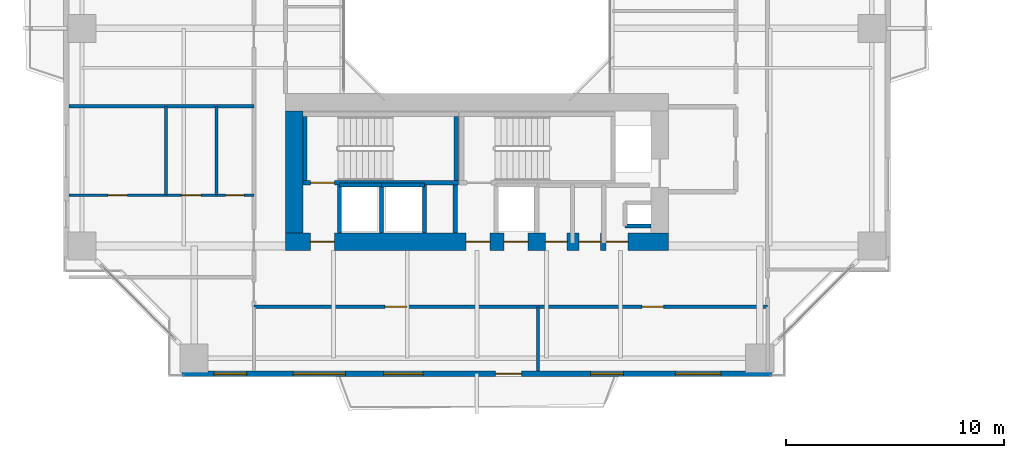
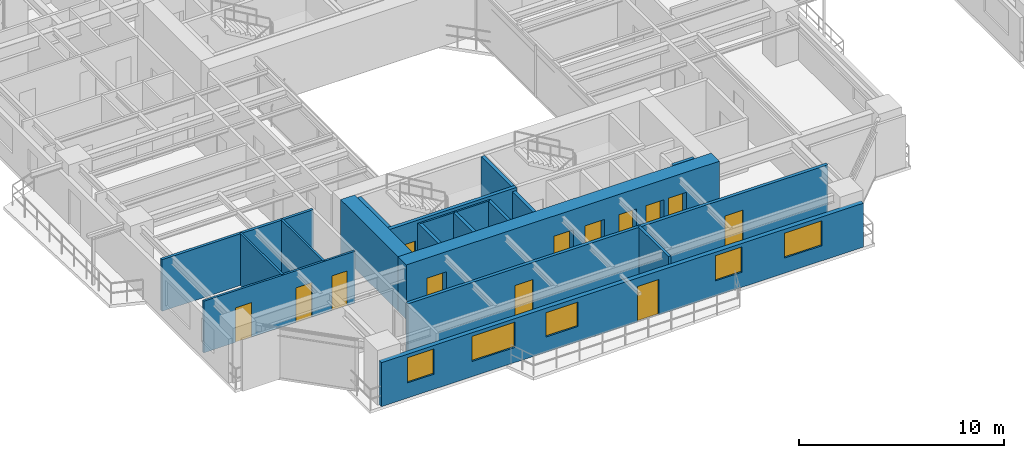
# One storey, part 13 of 23: 19 walls, 13 doors, 5 windows, 18 openings.
"""IFC4 building model written with IfcOpenShell, lengths in metres."""

from ifc_helpers import new_model, si_unit, direction, frame, frame_2d, origin, place, context, subcontext, project, spatial, rectangle, extrude, source, transform, mapped, material, layer, layer_set, type_object, element, fill, save


model = new_model("IFC4")

# Units and contexts
model_context = context("Model", 3, precision=1e-05, world=origin(), true_north=direction((0.0, 1.0)))
body_context = subcontext(model_context, "Body", "Model", "MODEL_VIEW")
ifc_project = project(units=[si_unit("LENGTHUNIT", "METRE"), si_unit("AREAUNIT", "SQUARE_METRE"), si_unit("VOLUMEUNIT", "CUBIC_METRE"), si_unit("PLANEANGLEUNIT", "RADIAN"), si_unit("MASSUNIT", "GRAM", prefix="KILO"), si_unit("THERMODYNAMICTEMPERATUREUNIT", "KELVIN"), si_unit("POWERUNIT", "WATT")], contexts=[model_context])

# Site, building, storey
site_placement = place(None, origin())
site = spatial("IfcSite", under=ifc_project, at=site_placement, CompositionType="ELEMENT")
building_placement = place(site_placement, origin())
building = spatial("IfcBuilding", under=site, at=building_placement, Name="Qiaomeng Ring Towers", CompositionType="ELEMENT")
storey_placement = place(building_placement, frame((0.0, 0.0, 66.5)))
storey = spatial("IfcBuildingStorey", under=building, at=storey_placement, Name="L18", CompositionType="ELEMENT", Elevation=66.5)

# Wall, openings, windows, door
ifc_material_1 = material(Name="Precast concrete C40", Category="concrete")
ifc_layer_1 = layer(ifc_material_1, 0.25, Name="Precast concrete C40")
ifc_layer_set_1 = layer_set([ifc_layer_1], Name="Precast concrete C40")
wall_type_1 = type_object("IfcWallType", Name="ARC-WL-EW1", PredefinedType="STANDARD", material=ifc_layer_set_1)
wall_1_placement = place(storey_placement, frame((5.449951171875, 4.125, 0.0), z_axis=(0.0, 0.0, 1.0), x_axis=(1.0, 0.0, 0.0)))
wall_1 = element("IfcWall", 1, at=wall_1_placement, inside=storey, type_object=wall_type_1, Name="L18 Tower 1 S Exterior Wall", PredefinedType="STANDARD", context=body_context, shape_type="SweptSolid", body=[
    extrude(rectangle(XDim=27.10009765625, YDim=0.25, at=frame_2d((13.550048828125, 0.0))), origin(), (0.0, 0.0, 1.0), 2.610107421875),
])
opening_1_placement = place(wall_1_placement, frame((14.39990234375, 0.0, 0.0)))
opening_1 = element("IfcOpeningElement", 2, at=opening_1_placement, cuts=wall_1, Name="Opening BD1", PredefinedType="OPENING", context=body_context, shape_type="SweptSolid", body=[
    extrude(rectangle(XDim=1.199951171875, YDim=2.10009765625, at=frame_2d((0.60009765625, 1.050048828125))), frame((0.0, 0.135009765625, 0.0), z_axis=(0.0, -1.0, 0.0), x_axis=(1.0, 0.0, 0.0)), (0.0, 0.0, 1.0), 0.27001953125),
])
opening_2_placement = place(wall_1_placement, frame((1.465087890625, 0.0, 0.89990234375)))
opening_2 = element("IfcOpeningElement", 3, at=opening_2_placement, cuts=wall_1, Name="Opening WN2", PredefinedType="OPENING", context=body_context, shape_type="SweptSolid", body=[
    extrude(rectangle(XDim=1.5, YDim=1.5, at=frame_2d((0.75, 0.75))), frame((0.0, 0.135009765625, 0.0), z_axis=(0.0, -1.0, 0.0), x_axis=(1.0, 0.0, 0.0)), (0.0, 0.0, 1.0), 0.27001953125),
])
opening_3_placement = place(wall_1_placement, frame((9.262939453125, 0.0, 0.89990234375)))
opening_3 = element("IfcOpeningElement", 4, at=opening_3_placement, cuts=wall_1, Name="Opening WN1", PredefinedType="OPENING", context=body_context, shape_type="SweptSolid", body=[
    extrude(rectangle(XDim=1.800048828125, YDim=1.449951171875, at=frame_2d((0.89990234375, 0.72509765625))), frame((0.0, 0.135009765625, 0.0), z_axis=(0.0, -1.0, 0.0), x_axis=(1.0, 0.0, 0.0)), (0.0, 0.0, 1.0), 0.27001953125),
])
opening_4_placement = place(wall_1_placement, frame((18.77392578125, 0.0, 0.89990234375)))
opening_4 = element("IfcOpeningElement", 5, at=opening_4_placement, cuts=wall_1, Name="Opening WN2", PredefinedType="OPENING", context=body_context, shape_type="SweptSolid", body=[
    extrude(rectangle(XDim=1.5, YDim=1.5, at=frame_2d((0.75, 0.75))), frame((0.0, 0.135009765625, 0.0), z_axis=(0.0, -1.0, 0.0), x_axis=(1.0, 0.0, 0.0)), (0.0, 0.0, 1.0), 0.27001953125),
])
opening_5_placement = place(wall_1_placement, frame((22.6630859375, 0.0, 0.89990234375)))
opening_5 = element("IfcOpeningElement", 6, at=opening_5_placement, cuts=wall_1, Name="Opening WN4", PredefinedType="OPENING", context=body_context, shape_type="SweptSolid", body=[
    extrude(rectangle(XDim=2.10009765625, YDim=1.47998046875, at=frame_2d((1.050048828125, 0.739990234375))), frame((0.0, 0.135009765625, 0.0), z_axis=(0.0, -1.0, 0.0), x_axis=(1.0, 0.0, 0.0)), (0.0, 0.0, 1.0), 0.27001953125),
])
opening_6_placement = place(wall_1_placement, frame((5.09912109375, 0.0, 0.89990234375)))
opening_6 = element("IfcOpeningElement", 7, at=opening_6_placement, cuts=wall_1, Name="Opening WN6", PredefinedType="OPENING", context=body_context, shape_type="SweptSolid", body=[
    extrude(rectangle(XDim=2.39990234375, YDim=1.5, at=frame_2d((1.199951171875, 0.75))), frame((0.0, 0.135009765625, 0.0), z_axis=(0.0, -1.0, 0.0), x_axis=(1.0, 0.0, 0.0)), (0.0, 0.0, 1.0), 0.27001953125),
])
ifc_material_2 = material(Name="Low-E dark-grey laminated double glazing", Category="glass")
window_type_1 = type_object("IfcWindowType", Name="ARC-WN-4", PartitioningType="TRIPLE_PANEL_VERTICAL", PredefinedType="WINDOW", material=ifc_material_2)
shared_shape_1 = source(origin(), body_context, "Body", "SweptSolid", [
    extrude(rectangle(XDim=2.10009765625, YDim=1.47998046875, at=frame_2d((1.050048828125, 0.739990234375))), frame((0.0, 0.030029296875, 0.0), z_axis=(0.0, -1.0, 0.0), x_axis=(1.0, 0.0, 0.0)), (0.0, 0.0, 1.0), 0.06005859375),
])
window_1_placement = place(opening_5_placement, origin())
window_1 = element("IfcWindow", 8, at=window_1_placement, inside=storey, type_object=window_type_1, Name="L18 Exterior Window WN4", OverallHeight=1.47998046875, OverallWidth=2.10009765625, PartitioningType="TRIPLE_PANEL_VERTICAL", PredefinedType="WINDOW", context=body_context, shape_type="MappedRepresentation", body=[
    mapped(shared_shape_1, transform((0.0, 0.0, 0.0), x_axis=(1.0, 0.0, 0.0), y_axis=(0.0, 1.0, 0.0), z_axis=(0.0, 0.0, 1.0), scale=1.0)),
])
fill(opening_5, window_1)
window_type_2 = type_object("IfcWindowType", Name="ARC-WN-1", PartitioningType="DOUBLE_PANEL_VERTICAL", PredefinedType="WINDOW", material=ifc_material_2)
shared_shape_2 = source(origin(), body_context, "Body", "SweptSolid", [
    extrude(rectangle(XDim=1.800048828125, YDim=1.449951171875, at=frame_2d((0.89990234375, 0.72509765625))), frame((0.0, 0.030029296875, 0.0), z_axis=(0.0, -1.0, 0.0), x_axis=(1.0, 0.0, 0.0)), (0.0, 0.0, 1.0), 0.06005859375),
])
window_2_placement = place(opening_3_placement, origin())
window_2 = element("IfcWindow", 9, at=window_2_placement, inside=storey, type_object=window_type_2, Name="L18 Exterior Window WN1", OverallHeight=1.449951171875, OverallWidth=1.800048828125, PartitioningType="DOUBLE_PANEL_VERTICAL", PredefinedType="WINDOW", context=body_context, shape_type="MappedRepresentation", body=[
    mapped(shared_shape_2, transform((0.0, 0.0, 0.0), x_axis=(1.0, 0.0, 0.0), y_axis=(0.0, 1.0, 0.0), z_axis=(0.0, 0.0, 1.0), scale=1.0)),
])
fill(opening_3, window_2)
door_type_1 = type_object("IfcDoorType", Name="ARC-DR-BD1", OperationType="NOTDEFINED", PredefinedType="DOOR", material=ifc_material_2)
shared_shape_3 = source(origin(), body_context, "Body", "SweptSolid", [
    extrude(rectangle(XDim=1.199951171875, YDim=2.10009765625, at=frame_2d((0.60009765625, 1.050048828125))), frame((0.0, 0.02490234375, 0.0), z_axis=(0.0, -1.0, 0.0), x_axis=(1.0, 0.0, 0.0)), (0.0, 0.0, 1.0), 0.050048828125),
])
door_1_placement = place(opening_1_placement, frame((1.199951171875, 0.0, 0.0), z_axis=(0.0, 0.0, 1.0), x_axis=(-1.0, 0.0, 0.0)))
door_1 = element("IfcDoor", 10, at=door_1_placement, inside=storey, type_object=door_type_1, Name="L18 S Balcony Glazed Door", OperationType="SINGLE_SWING_LEFT", OverallHeight=2.10009765625, OverallWidth=1.199951171875, PredefinedType="DOOR", context=body_context, shape_type="MappedRepresentation", body=[
    mapped(shared_shape_3, transform((0.0, 0.0, 0.0), x_axis=(1.0, 0.0, 0.0), y_axis=(0.0, 1.0, 0.0), z_axis=(0.0, 0.0, 1.0), scale=1.0)),
])
fill(opening_1, door_1)
window_type_3 = type_object("IfcWindowType", Name="ARC-WN-2", PartitioningType="DOUBLE_PANEL_VERTICAL", PredefinedType="WINDOW", material=ifc_material_2)
shared_shape_4 = source(origin(), body_context, "Body", "SweptSolid", [
    extrude(rectangle(XDim=1.5, YDim=1.5, at=frame_2d((0.75, 0.75))), frame((0.0, 0.030029296875, 0.0), z_axis=(0.0, -1.0, 0.0), x_axis=(1.0, 0.0, 0.0)), (0.0, 0.0, 1.0), 0.06005859375),
])
window_3_placement = place(opening_2_placement, origin())
window_3 = element("IfcWindow", 11, at=window_3_placement, inside=storey, type_object=window_type_3, Name="L18 Exterior Window WN6", OverallHeight=1.5, OverallWidth=1.5, PartitioningType="TRIPLE_PANEL_VERTICAL", PredefinedType="WINDOW", context=body_context, shape_type="MappedRepresentation", body=[
    mapped(shared_shape_4, transform((0.0, 0.0, 0.0), x_axis=(1.0, 0.0, 0.0), y_axis=(0.0, 1.0, 0.0), z_axis=(0.0, 0.0, 1.0), scale=1.0)),
])
fill(opening_2, window_3)
window_4_placement = place(opening_4_placement, origin())
window_4 = element("IfcWindow", 12, at=window_4_placement, inside=storey, type_object=window_type_3, Name="L18 Exterior Window WN2", OverallHeight=1.5, OverallWidth=1.5, PartitioningType="DOUBLE_PANEL_VERTICAL", PredefinedType="WINDOW", context=body_context, shape_type="MappedRepresentation", body=[
    mapped(shared_shape_4, transform((0.0, 0.0, 0.0), x_axis=(1.0, 0.0, 0.0), y_axis=(0.0, 1.0, 0.0), z_axis=(0.0, 0.0, 1.0), scale=1.0)),
])
fill(opening_4, window_4)
window_type_4 = type_object("IfcWindowType", Name="ARC-WN-6", PartitioningType="TRIPLE_PANEL_VERTICAL", PredefinedType="WINDOW", material=ifc_material_2)
shared_shape_5 = source(origin(), body_context, "Body", "SweptSolid", [
    extrude(rectangle(XDim=2.39990234375, YDim=1.5, at=frame_2d((1.199951171875, 0.75))), frame((0.0, 0.030029296875, 0.0), z_axis=(0.0, -1.0, 0.0), x_axis=(1.0, 0.0, 0.0)), (0.0, 0.0, 1.0), 0.06005859375),
])
window_5_placement = place(opening_6_placement, origin())
window_5 = element("IfcWindow", 13, at=window_5_placement, inside=storey, type_object=window_type_4, Name="L18 Exterior Window WN6", OverallHeight=1.5, OverallWidth=2.39990234375, PartitioningType="TRIPLE_PANEL_VERTICAL", PredefinedType="WINDOW", context=body_context, shape_type="MappedRepresentation", body=[
    mapped(shared_shape_5, transform((0.0, 0.0, 0.0), x_axis=(1.0, 0.0, 0.0), y_axis=(0.0, 1.0, 0.0), z_axis=(0.0, 0.0, 1.0), scale=1.0)),
])
fill(opening_6, window_5)

# Walls
ifc_material_3 = material(Name="Autoclaved aerated concrete block", Category="concrete")
ifc_layer_2 = layer(ifc_material_3, 0.199951171875, Name="Autoclaved aerated concrete block")
ifc_layer_set_2 = layer_set([ifc_layer_2], Name="Autoclaved aerated concrete block")
wall_type_2 = type_object("IfcWallType", Name="ARC-WL-PW1", PredefinedType="PARTITIONING", material=ifc_layer_set_2)
for number, where, z_axis, x_axis, name in (
    (14, (12.679931640625, 10.60009765625, 0.0), (0.0, 0.0, 1.0), (0.0, 1.0, 0.0), "L18 Interior Wall PW1"),
    (15, (18.0, 10.60009765625, 0.0), (0.0, 0.0, 1.0), (0.0, 1.0, 0.0), "L18 Interior Wall PW1"),
):
    element("IfcWall", number, at=place(storey_placement, frame(where, z_axis=z_axis, x_axis=x_axis)), inside=storey, type_object=wall_type_2, Name=name, PredefinedType="PARTITIONING", context=body_context, shape_type="SweptSolid", body=[
        extrude(rectangle(XDim=2.2099609375, YDim=0.199951171875, at=frame_2d((1.10498046875, 0.0))), origin(), (0.0, 0.0, 1.0), 3.070068359375),
    ])

# Wall, openings, doors
ifc_layer_3 = layer(ifc_material_3, 0.179931640625, Name="Autoclaved aerated concrete block")
ifc_layer_set_3 = layer_set([ifc_layer_3], Name="Autoclaved aerated concrete block")
wall_type_3 = type_object("IfcWallType", Name="ARC-WL-PW2", PredefinedType="PARTITIONING", material=ifc_layer_set_3)
wall_2_placement = place(storey_placement, frame((8.75, 7.2099609375, 0.0), z_axis=(0.0, 0.0, 1.0), x_axis=(1.0, 0.0, 0.0)))
wall_2 = element("IfcWall", 16, at=wall_2_placement, inside=storey, type_object=wall_type_3, Name="L18 Interior Wall PW2", PredefinedType="PARTITIONING", context=body_context, shape_type="SweptSolid", body=[
    extrude(rectangle(XDim=23.610107421875, YDim=0.179931640625, at=frame_2d((11.80517578125, 0.0))), origin(), (0.0, 0.0, 1.0), 3.070068359375),
])
opening_7_placement = place(wall_2_placement, frame((6.02490234375, 0.0, 0.0)))
opening_7 = element("IfcOpeningElement", 17, at=opening_7_placement, cuts=wall_2, Name="Opening FD4", PredefinedType="OPENING", context=body_context, shape_type="SweptSolid", body=[
    extrude(rectangle(XDim=1.0, YDim=2.050048828125, at=frame_2d((0.5, 1.02490234375))), frame((0.0, 0.099853515625, 0.0), z_axis=(0.0, -1.0, 0.0), x_axis=(1.0, 0.0, 0.0)), (0.0, 0.0, 1.0), 0.199951171875),
])
opening_8_placement = place(wall_2_placement, frame((17.830078125, 0.0, 0.0)))
opening_8 = element("IfcOpeningElement", 18, at=opening_8_placement, cuts=wall_2, Name="Opening FD4", PredefinedType="OPENING", context=body_context, shape_type="SweptSolid", body=[
    extrude(rectangle(XDim=1.0, YDim=2.050048828125, at=frame_2d((0.5, 1.02490234375))), frame((0.0, 0.099853515625, 0.0), z_axis=(0.0, -1.0, 0.0), x_axis=(1.0, 0.0, 0.0)), (0.0, 0.0, 1.0), 0.199951171875),
])
ifc_material_4 = material(Name="Engineered fire-rated oak timber", Category="wood")
door_type_2 = type_object("IfcDoorType", Name="ARC-DR-FD4", OperationType="NOTDEFINED", PredefinedType="DOOR", material=ifc_material_4)
shared_shape_6 = source(origin(), body_context, "Body", "SweptSolid", [
    extrude(rectangle(XDim=1.0, YDim=2.050048828125, at=frame_2d((0.5, 1.02490234375))), frame((0.0, 0.02490234375, 0.0), z_axis=(0.0, -1.0, 0.0), x_axis=(1.0, 0.0, 0.0)), (0.0, 0.0, 1.0), 0.050048828125),
])
door_2_placement = place(opening_7_placement, origin())
door_2 = element("IfcDoor", 19, at=door_2_placement, inside=storey, type_object=door_type_2, Name="L18 Door FD4", OperationType="SINGLE_SWING_RIGHT", OverallHeight=2.050048828125, OverallWidth=1.0, PredefinedType="DOOR", context=body_context, shape_type="MappedRepresentation", body=[
    mapped(shared_shape_6, transform((0.0, 0.0, 0.0), x_axis=(1.0, 0.0, 0.0), y_axis=(0.0, 1.0, 0.0), z_axis=(0.0, 0.0, 1.0), scale=1.0)),
])
fill(opening_7, door_2)
door_3_placement = place(opening_8_placement, origin())
door_3 = element("IfcDoor", 20, at=door_3_placement, inside=storey, type_object=door_type_2, Name="L18 Door FD4", OperationType="SINGLE_SWING_LEFT", OverallHeight=2.050048828125, OverallWidth=1.0, PredefinedType="DOOR", context=body_context, shape_type="MappedRepresentation", body=[
    mapped(shared_shape_6, transform((0.0, 0.0, 0.0), x_axis=(1.0, 0.0, 0.0), y_axis=(0.0, 1.0, 0.0), z_axis=(0.0, 0.0, 1.0), scale=1.0)),
])
fill(opening_8, door_3)

# Walls
ifc_material_5 = material(Name="Gypsum fireboard steel-stud partition", Category="steel")
ifc_layer_4 = layer(ifc_material_5, 0.14990234375, Name="Gypsum fireboard steel-stud partition")
ifc_layer_set_4 = layer_set([ifc_layer_4], Name="Gypsum fireboard steel-stud partition")
wall_type_4 = type_object("IfcWallType", Name="ARC-WL-PW3", PredefinedType="PARTITIONING", material=ifc_layer_set_4)
wall_3_placement = place(storey_placement, frame((21.800048828125, 4.25, 0.0), z_axis=(0.0, 0.0, 1.0), x_axis=(0.0, 1.0, 0.0)))
element("IfcWall", 21, at=wall_3_placement, inside=storey, type_object=wall_type_4, Name="L18 Interior Wall PW3", PredefinedType="PARTITIONING", context=body_context, shape_type="SweptSolid", body=[
    extrude(rectangle(XDim=2.9599609375, YDim=0.14990234375, at=frame_2d((1.47998046875, 0.0))), origin(), (0.0, 0.0, 1.0), 3.070068359375),
])
wall_4_placement = place(storey_placement, frame((0.25, 16.419921875, 0.0), z_axis=(0.0, 0.0, 1.0), x_axis=(1.0, 0.0, 0.0)))
element("IfcWall", 22, at=wall_4_placement, inside=storey, type_object=wall_type_4, Name="L18 Interior Wall PW3", PredefinedType="PARTITIONING", context=body_context, shape_type="SweptSolid", body=[
    extrude(rectangle(XDim=8.5, YDim=0.14990234375, at=frame_2d((4.25, 0.0))), origin(), (0.0, 0.0, 1.0), 3.070068359375),
])

# Wall, openings, doors
ifc_material_6 = material(Name="Moisture-resistant gypsum steel-stud partition", Category="steel")
ifc_layer_5 = layer(ifc_material_6, 0.1201171875, Name="Moisture-resistant gypsum steel-stud partition")
ifc_layer_set_5 = layer_set([ifc_layer_5], Name="Moisture-resistant gypsum steel-stud partition")
wall_type_5 = type_object("IfcWallType", Name="ARC-WL-PW4", PredefinedType="PLUMBINGWALL", material=ifc_layer_set_5)
wall_5_placement = place(storey_placement, frame((0.25, 12.340087890625, 0.0), z_axis=(0.0, 0.0, 1.0), x_axis=(1.0, 0.0, 0.0)))
wall_5 = element("IfcWall", 23, at=wall_5_placement, inside=storey, type_object=wall_type_5, Name="L18 Interior Wall PW4", PredefinedType="PLUMBINGWALL", context=body_context, shape_type="SweptSolid", body=[
    extrude(rectangle(XDim=8.5, YDim=0.1201171875, at=frame_2d((4.25, 0.0))), origin(), (0.0, 0.0, 1.0), 3.070068359375),
])
opening_9_placement = place(wall_5_placement, frame((1.7900390625, 0.0, 0.0)))
opening_9 = element("IfcOpeningElement", 24, at=opening_9_placement, cuts=wall_5, Name="Opening ID1", PredefinedType="OPENING", context=body_context, shape_type="SweptSolid", body=[
    extrude(rectangle(XDim=0.89990234375, YDim=2.050048828125, at=frame_2d((0.449951171875, 1.02490234375))), frame((0.0, 0.070068359375, 0.0), z_axis=(0.0, -1.0, 0.0), x_axis=(1.0, 0.0, 0.0)), (0.0, 0.0, 1.0), 0.14013671875),
])
opening_10_placement = place(wall_5_placement, frame((5.169921875, 0.0, 0.0)))
opening_10 = element("IfcOpeningElement", 25, at=opening_10_placement, cuts=wall_5, Name="Opening ID1", PredefinedType="OPENING", context=body_context, shape_type="SweptSolid", body=[
    extrude(rectangle(XDim=0.89990234375, YDim=2.050048828125, at=frame_2d((0.449951171875, 1.02490234375))), frame((0.0, 0.070068359375, 0.0), z_axis=(0.0, -1.0, 0.0), x_axis=(1.0, 0.0, 0.0)), (0.0, 0.0, 1.0), 0.14013671875),
])
opening_11_placement = place(wall_5_placement, frame((7.205078125, 0.0, 0.0)))
opening_11 = element("IfcOpeningElement", 26, at=opening_11_placement, cuts=wall_5, Name="Opening ID2", PredefinedType="OPENING", context=body_context, shape_type="SweptSolid", body=[
    extrude(rectangle(XDim=0.85009765625, YDim=2.050048828125, at=frame_2d((0.425048828125, 1.02490234375))), frame((0.0, 0.070068359375, 0.0), z_axis=(0.0, -1.0, 0.0), x_axis=(1.0, 0.0, 0.0)), (0.0, 0.0, 1.0), 0.14013671875),
])
ifc_material_7 = material(Name="Moisture-resistant engineered timber", Category="wood")
door_type_3 = type_object("IfcDoorType", Name="ARC-DR-ID2", OperationType="NOTDEFINED", PredefinedType="DOOR", material=ifc_material_7)
shared_shape_7 = source(origin(), body_context, "Body", "SweptSolid", [
    extrude(rectangle(XDim=0.85009765625, YDim=2.050048828125, at=frame_2d((0.425048828125, 1.02490234375))), frame((0.0, 0.02490234375, 0.0), z_axis=(0.0, -1.0, 0.0), x_axis=(1.0, 0.0, 0.0)), (0.0, 0.0, 1.0), 0.050048828125),
])
door_4_placement = place(opening_11_placement, origin())
door_4 = element("IfcDoor", 27, at=door_4_placement, inside=storey, type_object=door_type_3, Name="L18 Door ID2", OperationType="SINGLE_SWING_RIGHT", OverallHeight=2.050048828125, OverallWidth=0.85009765625, PredefinedType="DOOR", context=body_context, shape_type="MappedRepresentation", body=[
    mapped(shared_shape_7, transform((0.0, 0.0, 0.0), x_axis=(1.0, 0.0, 0.0), y_axis=(0.0, 1.0, 0.0), z_axis=(0.0, 0.0, 1.0), scale=1.0)),
])
fill(opening_11, door_4)
ifc_material_8 = material(Name="Engineered oak timber", Category="wood")
door_type_4 = type_object("IfcDoorType", Name="ARC-DR-ID1", OperationType="NOTDEFINED", PredefinedType="DOOR", material=ifc_material_8)
shared_shape_8 = source(origin(), body_context, "Body", "SweptSolid", [
    extrude(rectangle(XDim=0.89990234375, YDim=2.050048828125, at=frame_2d((0.449951171875, 1.02490234375))), frame((0.0, 0.02490234375, 0.0), z_axis=(0.0, -1.0, 0.0), x_axis=(1.0, 0.0, 0.0)), (0.0, 0.0, 1.0), 0.050048828125),
])
door_5_placement = place(opening_9_placement, origin())
door_5 = element("IfcDoor", 28, at=door_5_placement, inside=storey, type_object=door_type_4, Name="L18 Door ID1", OperationType="SINGLE_SWING_RIGHT", OverallHeight=2.050048828125, OverallWidth=0.89990234375, PredefinedType="DOOR", context=body_context, shape_type="MappedRepresentation", body=[
    mapped(shared_shape_8, transform((0.0, 0.0, 0.0), x_axis=(1.0, 0.0, 0.0), y_axis=(0.0, 1.0, 0.0), z_axis=(0.0, 0.0, 1.0), scale=1.0)),
])
fill(opening_9, door_5)
door_6_placement = place(opening_10_placement, origin())
door_6 = element("IfcDoor", 29, at=door_6_placement, inside=storey, type_object=door_type_4, Name="L18 Door ID1", OperationType="SINGLE_SWING_LEFT", OverallHeight=2.050048828125, OverallWidth=0.89990234375, PredefinedType="DOOR", context=body_context, shape_type="MappedRepresentation", body=[
    mapped(shared_shape_8, transform((0.0, 0.0, 0.0), x_axis=(1.0, 0.0, 0.0), y_axis=(0.0, 1.0, 0.0), z_axis=(0.0, 0.0, 1.0), scale=1.0)),
])
fill(opening_10, door_6)

# Walls
for number, where, z_axis, x_axis, name in (
    (30, (4.7099609375, 12.340087890625, 0.0), (0.0, 0.0, 1.0), (0.0, 1.0, 0.0), "L18 Interior Wall PW4"),
    (31, (7.030029296875, 12.340087890625, 0.0), (0.0, 0.0, 1.0), (0.0, 1.0, 0.0), "L18 Interior Wall PW4"),
):
    element("IfcWall", number, at=place(storey_placement, frame(where, z_axis=z_axis, x_axis=x_axis)), inside=storey, type_object=wall_type_5, Name=name, PredefinedType="PLUMBINGWALL", context=body_context, shape_type="SweptSolid", body=[
        extrude(rectangle(XDim=4.079833984375, YDim=0.1201171875, at=frame_2d((2.0400390625, 0.0))), origin(), (0.0, 0.0, 1.0), 3.070068359375),
    ])
ifc_material_9 = material(Name="Concrete C40", Category="concrete")
ifc_layer_6 = layer(ifc_material_9, 0.199951171875, Name="Concrete C40")
ifc_layer_set_6 = layer_set([ifc_layer_6], Name="Concrete C40")
wall_type_6 = type_object("IfcWallType", Name="STR-WL-STSHAFT", PredefinedType="SHEAR", material=ifc_layer_set_6)
wall_6_placement = place(storey_placement, frame((12.679931640625, 12.800048828125, 0.0), z_axis=(0.0, 0.0, 1.0), x_axis=(1.0, 0.0, 0.0)))
element("IfcWall", 32, at=wall_6_placement, inside=storey, type_object=wall_type_6, Name="L18 Lift LP6 Shaft Back Wall", PredefinedType="SHEAR", context=body_context, shape_type="SweptSolid", body=[
    extrude(rectangle(XDim=1.940185546875, YDim=0.179931640625, at=frame_2d((0.97021484375, 0.0))), origin(), (0.0, 0.0, 1.0), 3.070068359375),
])
wall_7_placement = place(storey_placement, frame((14.6201171875, 10.60009765625, 0.0), z_axis=(0.0, 0.0, 1.0), x_axis=(0.0, 1.0, 0.0)))
element("IfcWall", 33, at=wall_7_placement, inside=storey, type_object=wall_type_6, Name="L18 Lift LP6-LP4 Shaft Divider Wall", PredefinedType="SHEAR", context=body_context, shape_type="SweptSolid", body=[
    extrude(rectangle(XDim=2.199951171875, YDim=0.179931640625, at=frame_2d((1.10009765625, 0.0))), origin(), (0.0, 0.0, 1.0), 3.070068359375),
])
wall_8_placement = place(storey_placement, frame((25.800048828125, 10.919921875, 0.0), z_axis=(0.0, 0.0, 1.0), x_axis=(1.0, 0.0, 0.0)))
element("IfcWall", 34, at=wall_8_placement, inside=storey, type_object=wall_type_6, Name="L18 Riser RSR1 South Shaft Wall S", PredefinedType="SHEAR", context=body_context, shape_type="SweptSolid", body=[
    extrude(rectangle(XDim=1.199951171875, YDim=0.179931640625, at=frame_2d((0.60009765625, 0.0))), origin(), (0.0, 0.0, 1.0), 3.070068359375),
])
wall_9_placement = place(storey_placement, frame((14.6201171875, 12.800048828125, 0.0), z_axis=(0.0, 0.0, 1.0), x_axis=(1.0, 0.0, 0.0)))
element("IfcWall", 35, at=wall_9_placement, inside=storey, type_object=wall_type_6, Name="L18 Lift LP4 Shaft Back Wall", PredefinedType="SHEAR", context=body_context, shape_type="SweptSolid", body=[
    extrude(rectangle(XDim=1.9599609375, YDim=0.179931640625, at=frame_2d((0.97998046875, 0.0))), origin(), (0.0, 0.0, 1.0), 3.070068359375),
])
wall_10_placement = place(storey_placement, frame((16.580078125, 10.60009765625, 0.0), z_axis=(0.0, 0.0, 1.0), x_axis=(0.0, 1.0, 0.0)))
element("IfcWall", 36, at=wall_10_placement, inside=storey, type_object=wall_type_6, Name="L18 Lift LP4 East Shaft Wall", PredefinedType="SHEAR", context=body_context, shape_type="SweptSolid", body=[
    extrude(rectangle(XDim=2.199951171875, YDim=0.179931640625, at=frame_2d((1.10009765625, 0.0))), origin(), (0.0, 0.0, 1.0), 3.070068359375),
])

# Wall, opening, door
wall_11_placement = place(storey_placement, frame((11.0, 12.909912109375, 0.0), z_axis=(0.0, 0.0, 1.0), x_axis=(1.0, 0.0, 0.0)))
wall_11 = element("IfcWall", 37, at=wall_11_placement, inside=storey, type_object=wall_type_6, Name="L18 Stair ST3 South Shaft Shear Wall", PredefinedType="SHEAR", context=body_context, shape_type="SweptSolid", body=[
    extrude(rectangle(XDim=7.14990234375, YDim=0.199951171875, at=frame_2d((3.574951171875, 0.0))), origin(), (0.0, 0.0, 1.0), 3.25),
])
opening_12_placement = place(wall_11_placement, frame((0.35009765625, 0.0, 0.0)))
opening_12 = element("IfcOpeningElement", 38, at=opening_12_placement, cuts=wall_11, Name="Opening FD3", PredefinedType="OPENING", context=body_context, shape_type="SweptSolid", body=[
    extrude(rectangle(XDim=1.10009765625, YDim=2.050048828125, at=frame_2d((0.550048828125, 1.02490234375))), frame((0.0, 0.10986328125, 0.0), z_axis=(0.0, -1.0, 0.0), x_axis=(1.0, 0.0, 0.0)), (0.0, 0.0, 1.0), 0.219970703125),
])
ifc_material_10 = material(Name="Galvanised steel", Category="steel")
door_type_5 = type_object("IfcDoorType", Name="ARC-DR-FD3", OperationType="NOTDEFINED", PredefinedType="DOOR", material=ifc_material_10)
shared_shape_9 = source(origin(), body_context, "Body", "SweptSolid", [
    extrude(rectangle(XDim=1.10009765625, YDim=2.050048828125, at=frame_2d((0.550048828125, 1.02490234375))), frame((0.0, 0.02490234375, 0.0), z_axis=(0.0, -1.0, 0.0), x_axis=(1.0, 0.0, 0.0)), (0.0, 0.0, 1.0), 0.050048828125),
])
door_7_placement = place(opening_12_placement, frame((1.10009765625, 0.0, 0.0), z_axis=(0.0, 0.0, 1.0), x_axis=(-1.0, 0.0, 0.0)))
door_7 = element("IfcDoor", 39, at=door_7_placement, inside=storey, type_object=door_type_5, Name="L18 Stair ST3 Exit Door", OperationType="SINGLE_SWING_RIGHT", OverallHeight=2.050048828125, OverallWidth=1.10009765625, PredefinedType="DOOR", context=body_context, shape_type="MappedRepresentation", body=[
    mapped(shared_shape_9, transform((0.0, 0.0, 0.0), x_axis=(1.0, 0.0, 0.0), y_axis=(0.0, 1.0, 0.0), z_axis=(0.0, 0.0, 1.0), scale=1.0)),
])
fill(opening_12, door_7)

# Walls
for number, where, z_axis, x_axis, name in (
    (40, (11.10009765625, 13.010009765625, 0.0), (0.0, 0.0, 1.0), (0.0, 1.0, 0.0), "L18 Stair ST3 West Shaft Shear Wall"),
    (41, (18.050048828125, 13.010009765625, 0.0), (0.0, 0.0, 1.0), (0.0, 1.0, 0.0), "L18 Stair ST3 East Shaft Shear Wall"),
):
    element("IfcWall", number, at=place(storey_placement, frame(where, z_axis=z_axis, x_axis=x_axis)), inside=storey, type_object=wall_type_6, Name=name, PredefinedType="SHEAR", context=body_context, shape_type="SweptSolid", body=[
        extrude(rectangle(XDim=2.93994140625, YDim=0.199951171875, at=frame_2d((1.469970703125, 0.0))), origin(), (0.0, 0.0, 1.0), 3.25),
    ])

# Wall, openings, doors
ifc_material_11 = material(Name="Concrete C60", Category="concrete")
ifc_layer_7 = layer(ifc_material_11, 0.800048828125, Name="Concrete C60")
ifc_layer_set_7 = layer_set([ifc_layer_7], Name="Concrete C60")
wall_type_7 = type_object("IfcWallType", Name="STR-WL-SW1", PredefinedType="SHEAR", material=ifc_layer_set_7)
wall_12_placement = place(storey_placement, frame((10.199951171875, 10.199951171875, 0.0), z_axis=(0.0, 0.0, 1.0), x_axis=(1.0, 0.0, 0.0)))
wall_12 = element("IfcWall", 42, at=wall_12_placement, inside=storey, type_object=wall_type_7, Name="L18 T1SC south core shear wall", PredefinedType="SHEAR", context=body_context, shape_type="SweptSolid", body=[
    extrude(rectangle(XDim=17.60009765625, YDim=0.800048828125, at=frame_2d((8.800048828125, 0.0))), origin(), (0.0, 0.0, 1.0), 3.25),
])
opening_13_placement = place(wall_12_placement, frame((1.14990234375, 0.0, 0.0)))
opening_13 = element("IfcOpeningElement", 43, at=opening_13_placement, cuts=wall_12, Name="Opening FD3", PredefinedType="OPENING", context=body_context, shape_type="SweptSolid", body=[
    extrude(rectangle(XDim=1.10009765625, YDim=2.050048828125, at=frame_2d((0.550048828125, 1.02490234375))), frame((0.0, 0.409912109375, 0.0), z_axis=(0.0, -1.0, 0.0), x_axis=(1.0, 0.0, 0.0)), (0.0, 0.0, 1.0), 0.820068359375),
])
opening_14_placement = place(wall_12_placement, frame((8.300048828125, 0.0, 0.0)))
opening_14 = element("IfcOpeningElement", 44, at=opening_14_placement, cuts=wall_12, Name="Opening FD3", PredefinedType="OPENING", context=body_context, shape_type="SweptSolid", body=[
    extrude(rectangle(XDim=1.10009765625, YDim=2.050048828125, at=frame_2d((0.550048828125, 1.02490234375))), frame((0.0, 0.409912109375, 0.0), z_axis=(0.0, -1.0, 0.0), x_axis=(1.0, 0.0, 0.0)), (0.0, 0.0, 1.0), 0.820068359375),
])
opening_15_placement = place(wall_12_placement, frame((10.050048828125, 0.0, 0.0)))
opening_15 = element("IfcOpeningElement", 45, at=opening_15_placement, cuts=wall_12, Name="Opening LD1", PredefinedType="OPENING", context=body_context, shape_type="SweptSolid", body=[
    extrude(rectangle(XDim=1.10009765625, YDim=2.050048828125, at=frame_2d((0.550048828125, 1.02490234375))), frame((0.0, 0.409912109375, 0.0), z_axis=(0.0, -1.0, 0.0), x_axis=(1.0, 0.0, 0.0)), (0.0, 0.0, 1.0), 0.820068359375),
])
opening_16_placement = place(wall_12_placement, frame((14.739990234375, 0.0, 0.0)))
opening_16 = element("IfcOpeningElement", 46, at=opening_16_placement, cuts=wall_12, Name="Opening FD1", PredefinedType="OPENING", context=body_context, shape_type="SweptSolid", body=[
    extrude(rectangle(XDim=1.0, YDim=2.050048828125, at=frame_2d((0.5, 1.02490234375))), frame((0.0, 0.409912109375, 0.0), z_axis=(0.0, -1.0, 0.0), x_axis=(1.0, 0.0, 0.0)), (0.0, 0.0, 1.0), 0.820068359375),
])
opening_17_placement = place(wall_12_placement, frame((11.945068359375, 0.0, 0.0)))
opening_17 = element("IfcOpeningElement", 47, at=opening_17_placement, cuts=wall_12, Name="Opening FD1", PredefinedType="OPENING", context=body_context, shape_type="SweptSolid", body=[
    extrude(rectangle(XDim=1.0, YDim=2.050048828125, at=frame_2d((0.5, 1.02490234375))), frame((0.0, 0.409912109375, 0.0), z_axis=(0.0, -1.0, 0.0), x_axis=(1.0, 0.0, 0.0)), (0.0, 0.0, 1.0), 0.820068359375),
])
opening_18_placement = place(wall_12_placement, frame((13.47998046875, 0.0, 0.0)))
opening_18 = element("IfcOpeningElement", 48, at=opening_18_placement, cuts=wall_12, Name="Opening FD1", PredefinedType="OPENING", context=body_context, shape_type="SweptSolid", body=[
    extrude(rectangle(XDim=1.0, YDim=2.050048828125, at=frame_2d((0.5, 1.02490234375))), frame((0.0, 0.409912109375, 0.0), z_axis=(0.0, -1.0, 0.0), x_axis=(1.0, 0.0, 0.0)), (0.0, 0.0, 1.0), 0.820068359375),
])
door_8_placement = place(opening_13_placement, origin())
door_8 = element("IfcDoor", 49, at=door_8_placement, inside=storey, type_object=door_type_5, Name="L18 Stair ST3 Lobby Door", OperationType="SINGLE_SWING_LEFT", OverallHeight=2.050048828125, OverallWidth=1.10009765625, PredefinedType="DOOR", context=body_context, shape_type="MappedRepresentation", body=[
    mapped(shared_shape_9, transform((0.0, 0.0, 0.0), x_axis=(1.0, 0.0, 0.0), y_axis=(0.0, 1.0, 0.0), z_axis=(0.0, 0.0, 1.0), scale=1.0)),
])
fill(opening_13, door_8)
door_9_placement = place(opening_14_placement, origin())
door_9 = element("IfcDoor", 50, at=door_9_placement, inside=storey, type_object=door_type_5, Name="L18 Stair ST4 Lobby Door", OperationType="SINGLE_SWING_LEFT", OverallHeight=2.050048828125, OverallWidth=1.10009765625, PredefinedType="DOOR", context=body_context, shape_type="MappedRepresentation", body=[
    mapped(shared_shape_9, transform((0.0, 0.0, 0.0), x_axis=(1.0, 0.0, 0.0), y_axis=(0.0, 1.0, 0.0), z_axis=(0.0, 0.0, 1.0), scale=1.0)),
])
fill(opening_14, door_9)
ifc_material_12 = material(Name="Stainless steel 316", Category="steel")
door_type_6 = type_object("IfcDoorType", Name="ARC-DR-LD1", OperationType="NOTDEFINED", PredefinedType="DOOR", material=ifc_material_12)
door_10_placement = place(opening_15_placement, origin())
door_10 = element("IfcDoor", 51, at=door_10_placement, inside=storey, type_object=door_type_6, Name="L18 Low-Zone Lift LP2 Landing Door", OperationType="SLIDING_TO_RIGHT", OverallHeight=2.050048828125, OverallWidth=1.10009765625, PredefinedType="DOOR", context=body_context, shape_type="MappedRepresentation", body=[
    mapped(shared_shape_9, transform((0.0, 0.0, 0.0), x_axis=(1.0, 0.0, 0.0), y_axis=(0.0, 1.0, 0.0), z_axis=(0.0, 0.0, 1.0), scale=1.0)),
])
fill(opening_15, door_10)
door_type_7 = type_object("IfcDoorType", Name="ARC-DR-FD1", OperationType="NOTDEFINED", PredefinedType="DOOR", material=ifc_material_10)
door_11_placement = place(opening_16_placement, origin())
door_11 = element("IfcDoor", 52, at=door_11_placement, inside=storey, type_object=door_type_7, Name="L18 South Electrical Riser Door", OperationType="SINGLE_SWING_RIGHT", OverallHeight=2.050048828125, OverallWidth=1.0, PredefinedType="DOOR", context=body_context, shape_type="MappedRepresentation", body=[
    mapped(shared_shape_6, transform((0.0, 0.0, 0.0), x_axis=(1.0, 0.0, 0.0), y_axis=(0.0, 1.0, 0.0), z_axis=(0.0, 0.0, 1.0), scale=1.0)),
])
fill(opening_16, door_11)
door_12_placement = place(opening_17_placement, origin())
door_12 = element("IfcDoor", 53, at=door_12_placement, inside=storey, type_object=door_type_7, Name="L18 South Beverage Pantry Door", OperationType="SINGLE_SWING_RIGHT", OverallHeight=2.050048828125, OverallWidth=1.0, PredefinedType="DOOR", context=body_context, shape_type="MappedRepresentation", body=[
    mapped(shared_shape_6, transform((0.0, 0.0, 0.0), x_axis=(1.0, 0.0, 0.0), y_axis=(0.0, 1.0, 0.0), z_axis=(0.0, 0.0, 1.0), scale=1.0)),
])
fill(opening_17, door_12)
door_13_placement = place(opening_18_placement, origin())
door_13 = element("IfcDoor", 54, at=door_13_placement, inside=storey, type_object=door_type_7, Name="L18 South Linen Store Door", OperationType="SINGLE_SWING_LEFT", OverallHeight=2.050048828125, OverallWidth=1.0, PredefinedType="DOOR", context=body_context, shape_type="MappedRepresentation", body=[
    mapped(shared_shape_6, transform((0.0, 0.0, 0.0), x_axis=(1.0, 0.0, 0.0), y_axis=(0.0, 1.0, 0.0), z_axis=(0.0, 0.0, 1.0), scale=1.0)),
])
fill(opening_18, door_13)

# Wall
wall_13_placement = place(storey_placement, frame((10.60009765625, 10.60009765625, 0.0), z_axis=(0.0, 0.0, 1.0), x_axis=(0.0, 1.0, 0.0)))
element("IfcWall", 55, at=wall_13_placement, inside=storey, type_object=wall_type_7, Name="L18 T1SC west core shear wall", PredefinedType="SHEAR", context=body_context, shape_type="SweptSolid", body=[
    extrude(rectangle(XDim=5.599853515625, YDim=0.800048828125, at=frame_2d((2.7998046875, 0.0))), origin(), (0.0, 0.0, 1.0), 3.25),
])

save(model, "model.ifc")
